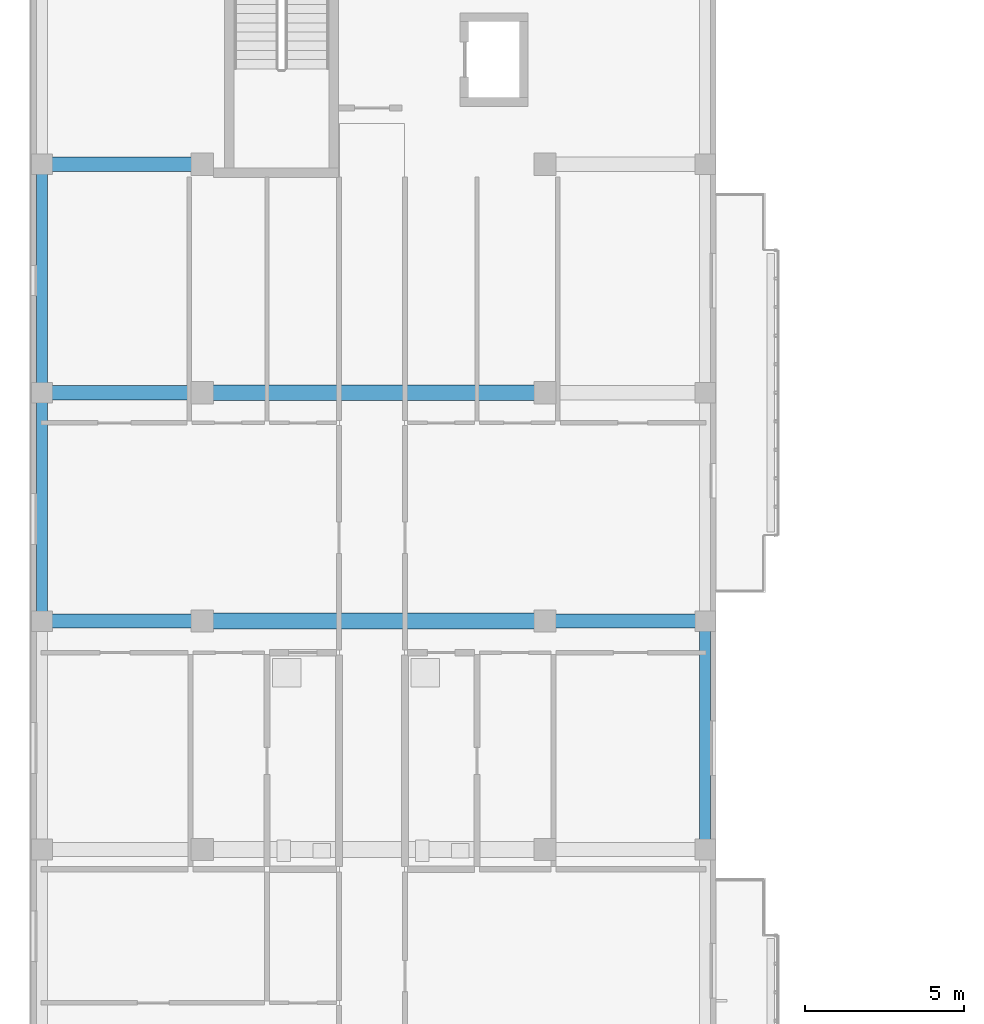
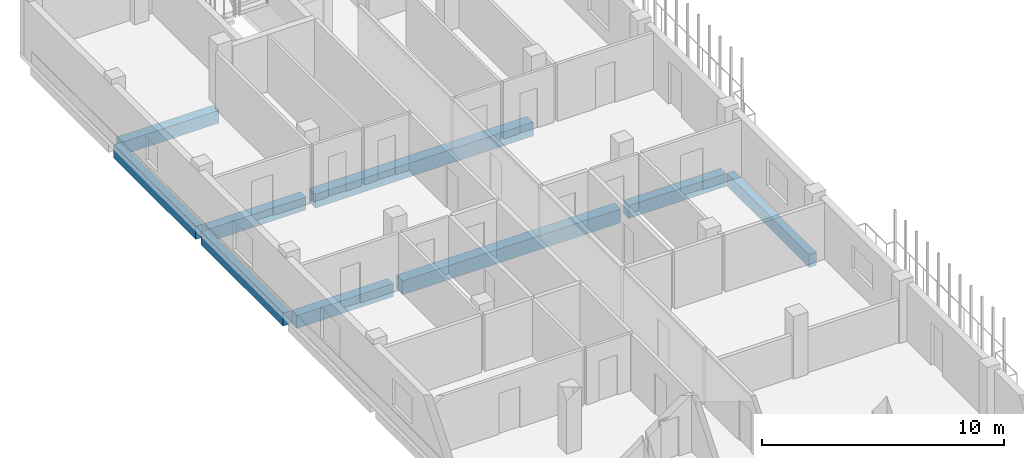
# One storey, part 13 of 56: 9 beams.
"""IFC4 building model written with IfcOpenShell, lengths in metres."""

import ifcopenshell
import ifcopenshell.guid

model = None  # the IFC model being written
_history = None  # IfcOwnerHistory: only IFC2X3 demands one
_inside = {}  # id of a spatial element -> (the spatial element, [elements in it])
_under = {}  # id of a project, library or spatial element -> (it, [spatial elements below it])
_declared = {}  # id of a project -> (the project, [libraries it declares])
_typed = {}  # id of a type object -> (the type object, [elements of that type])
_made_of = {}  # id of a material, layer set ... -> (it, [elements and type objects made of it])


def new_model(schema):
    """Start an empty IFC model of exactly this schema.

    Asked for "IFC4X3", IfcOpenShell would pick the latest addendum, in which some entities
    have other attributes; the version numbers below select the first issue.
    IFC2X3 requires an IfcOwnerHistory on every rooted entity: one is made here for all.
    """
    global model, _history
    if schema == "IFC4X3":
        model = ifcopenshell.file(schema_version=(4, 3, 0, 0))
    else:
        model = ifcopenshell.file(schema=schema)
    _inside.clear()
    _under.clear()
    _declared.clear()
    _typed.clear()
    _made_of.clear()
    _history = None
    if model.schema == "IFC2X3":
        org = make("IfcOrganization", Name="unknown")
        user = make(
            "IfcPersonAndOrganization",
            ThePerson=make("IfcPerson", FamilyName="unknown"),
            TheOrganization=org,
        )
        app = make(
            "IfcApplication",
            ApplicationDeveloper=org,
            Version="unknown",
            ApplicationFullName="unknown",
            ApplicationIdentifier="unknown",
        )
        _history = make(
            "IfcOwnerHistory",
            OwningUser=user,
            OwningApplication=app,
            ChangeAction="ADDED",
            CreationDate=0,
        )
    return model


def make(cls, **values):
    """One entity of the class cls with the attributes given. An attribute that is None is left unset."""
    return model.create_entity(
        cls, **{name: value for name, value in values.items() if value is not None}
    )


def rooted(cls, **values):
    """An entity with a GlobalId (a new one), such as an element, a storey or a relation."""
    return make(cls, GlobalId=ifcopenshell.guid.new(), OwnerHistory=_history, **values)


def si_unit(unit_type, name, prefix=None):
    """IfcSIUnit, for example si_unit("LENGTHUNIT", "METRE", prefix="MILLI")."""
    return make("IfcSIUnit", UnitType=unit_type, Prefix=prefix, Name=name)


def derived_unit(unit_type, elements):
    """IfcDerivedUnit: a product of units, each with its exponent."""
    return make(
        "IfcDerivedUnit",
        Elements=[
            make("IfcDerivedUnitElement", Unit=unit, Exponent=power)
            for unit, power in elements
        ],
        UnitType=unit_type,
    )


def assignment(units):
    """IfcUnitAssignment: the units of a project."""
    return None if units is None else make("IfcUnitAssignment", Units=units)


def point(xyz):
    """IfcCartesianPoint."""
    return None if xyz is None else make("IfcCartesianPoint", Coordinates=xyz)


def direction(xyz):
    """IfcDirection."""
    return None if xyz is None else make("IfcDirection", DirectionRatios=xyz)


def frame(location, z_axis=None, x_axis=None):
    """IfcAxis2Placement3D, a coordinate frame: its origin and axes. An axis left out is left unset."""
    return make(
        "IfcAxis2Placement3D",
        Location=point(location),
        Axis=direction(z_axis),
        RefDirection=direction(x_axis),
    )


def frame_2d(location, x_axis=None):
    """IfcAxis2Placement2D, a coordinate frame in the plane: its origin and x axis."""
    return make(
        "IfcAxis2Placement2D", Location=point(location), RefDirection=direction(x_axis)
    )


def origin():
    """The frame at (0, 0, 0) with its axes left unset."""
    return frame((0.0, 0.0, 0.0))


def origin_2d():
    """The frame at (0, 0) in the plane with its x axis left unset."""
    return frame_2d((0.0, 0.0))


def place(relative_to, where):
    """IfcLocalPlacement: puts the frame where relative to a parent placement (None: the world)."""
    return make(
        "IfcLocalPlacement", PlacementRelTo=relative_to, RelativePlacement=where
    )


def context(
    kind, dimensions, precision=None, world=None, true_north=None, identifier=None
):
    """IfcGeometricRepresentationContext, for example the 3D "Model" context."""
    return make(
        "IfcGeometricRepresentationContext",
        ContextIdentifier=identifier,
        ContextType=kind,
        CoordinateSpaceDimension=dimensions,
        Precision=precision,
        WorldCoordinateSystem=world,
        TrueNorth=true_north,
    )


def subcontext(parent, identifier, kind, view, scale=None):
    """IfcGeometricRepresentationSubContext, for example "Body" below "Model"."""
    return make(
        "IfcGeometricRepresentationSubContext",
        ContextIdentifier=identifier,
        ContextType=kind,
        ParentContext=parent,
        TargetScale=scale,
        TargetView=view,
    )


def project(units=None, contexts=None):
    """IfcProject with its units and contexts."""
    return rooted(
        "IfcProject",
        Name="project",
        RepresentationContexts=contexts,
        UnitsInContext=assignment(units),
    )


def spatial(cls, under=None, at=None, **own):
    """A site, building, storey or space (cls), placed at a placement, below another one or the project."""
    s = rooted(cls, ObjectPlacement=at, **own)
    if under is not None:
        _under.setdefault(under.id(), (under, []))[1].append(s)
    return s


def profile(cls, at=None, kind="AREA", **sizes):
    """A parametric profile (cls). Its sizes go by their IFC names, for example OverallWidth=200.0."""
    return make(cls, ProfileType=kind, Position=at, **sizes)


def rectangle(**sizes):
    """IfcRectangleProfileDef."""
    return profile("IfcRectangleProfileDef", **sizes)


def extrude(swept, where, along, depth):
    """IfcExtrudedAreaSolid: the profile swept, set in the frame where, extruded along a direction by depth."""
    return make(
        "IfcExtrudedAreaSolid",
        SweptArea=swept,
        Position=where,
        ExtrudedDirection=direction(along),
        Depth=depth,
    )


def shape(context_of_items, identifier, shape_type, items):
    """IfcShapeRepresentation: the items that make up one representation, for example the "Body"."""
    return make(
        "IfcShapeRepresentation",
        ContextOfItems=context_of_items,
        RepresentationIdentifier=identifier,
        RepresentationType=shape_type,
        Items=items,
    )


def material(Name=None, Category=None):
    """IfcMaterial."""
    return make("IfcMaterial", Name=Name, Category=Category)


def material_profile(
    of_material, cross_section, Name=None, Category=None, Priority=None
):
    """IfcMaterialProfile: a cross section and its material."""
    return make(
        "IfcMaterialProfile",
        Name=Name,
        Material=of_material,
        Profile=cross_section,
        Priority=Priority,
        Category=Category,
    )


def profile_set(profiles, Name=None, composite=None):
    """IfcMaterialProfileSet."""
    return make(
        "IfcMaterialProfileSet",
        Name=Name,
        MaterialProfiles=profiles,
        CompositeProfile=composite,
    )


def made_of(thing, what):
    """Note that an element or type object is made of a material, layer set ...; save() writes the relation."""
    if what is not None:
        _made_of.setdefault(what.id(), (what, []))[1].append(thing)
    return thing


def type_object(cls, material=None, **own):
    """A type object (cls), such as IfcWallType, which elements share."""
    return made_of(rooted(cls, **own), material)


def element(
    cls,
    number,
    at=None,
    inside=None,
    cuts=None,
    type_object=None,
    material=None,
    context=None,
    identifier="Body",
    shape_type=None,
    held_by="IfcProductDefinitionShape",
    body=None,
    shapes=None,
    **own,
):
    """One element of the class cls, such as IfcWall. Its Tag is "e" and its number.

    at: its placement. inside: the storey or other place that contains it. cuts: it is an
    opening in that element (IfcRelVoidsElement). A single representation is given by context,
    identifier, shape_type and body (its items); several are given by shapes. held_by: the class
    of the entity that holds the representations. save() writes the other relations.
    """
    e = rooted(cls, Tag="e%d" % number, ObjectPlacement=at, **own)
    if body is not None:
        shapes = [shape(context, identifier, shape_type, body)]
    if shapes is not None:
        e.Representation = make(held_by, Representations=shapes)
    if inside is not None:
        _inside.setdefault(inside.id(), (inside, []))[1].append(e)
    if cuts is not None:
        rooted(
            "IfcRelVoidsElement", RelatingBuildingElement=cuts, RelatedOpeningElement=e
        )
    if type_object is not None:
        _typed.setdefault(type_object.id(), (type_object, []))[1].append(e)
    return made_of(e, material)


def aggregate(whole, parts):
    """IfcRelAggregates: a whole, such as a stair, and the parts it consists of."""
    return rooted("IfcRelAggregates", RelatingObject=whole, RelatedObjects=parts)


def save(model, path):
    """Write the relations noted so far, then the file.

    IfcRelAggregates (storeys below a building ...), IfcRelContainedInSpatialStructure (elements
    in a storey), IfcRelDefinesByType, IfcRelAssociatesMaterial and IfcRelDeclares: one each for
    every whole, place, type object, material and project.
    """
    for whole, parts in _under.values():
        aggregate(whole, parts)
    for where, things in _inside.values():
        rooted(
            "IfcRelContainedInSpatialStructure",
            RelatedElements=things,
            RelatingStructure=where,
        )
    for kind, things in _typed.values():
        rooted("IfcRelDefinesByType", RelatedObjects=things, RelatingType=kind)
    for what, things in _made_of.values():
        rooted("IfcRelAssociatesMaterial", RelatedObjects=things, RelatingMaterial=what)
    for by, libraries in _declared.values():
        rooted("IfcRelDeclares", RelatingContext=by, RelatedDefinitions=libraries)
    model.write(path)


model = new_model("IFC4")

# Units and contexts
model_context = context("Model", 3, precision=1e-05, world=origin(), true_north=direction((0.0, 1.0)))
body_context = subcontext(model_context, "Body", "Model", "MODEL_VIEW")
ifc_project = project(units=[si_unit("LENGTHUNIT", "METRE"), si_unit("AREAUNIT", "SQUARE_METRE"), si_unit("VOLUMEUNIT", "CUBIC_METRE"), si_unit("PLANEANGLEUNIT", "RADIAN"), si_unit("MASSUNIT", "GRAM", prefix="KILO"), derived_unit("THERMALTRANSMITTANCEUNIT", [(si_unit("MASSUNIT", "GRAM", prefix="KILO"), 1), (si_unit("TIMEUNIT", "SECOND"), -3), (si_unit("THERMODYNAMICTEMPERATUREUNIT", "KELVIN"), -1)])], contexts=[model_context])

# Site, building, storey
site_placement = place(None, origin())
site = spatial("IfcSite", under=ifc_project, at=site_placement, CompositionType="ELEMENT")
building_placement = place(site_placement, origin())
building = spatial("IfcBuilding", under=site, at=building_placement, Name="Ochrekiln Boulevard Commons", CompositionType="ELEMENT")
storey_placement = place(building_placement, frame((0.0, 0.0, 12.074951171875)))
storey = spatial("IfcBuildingStorey", under=building, at=storey_placement, Name="L03", CompositionType="ELEMENT", Elevation=12.074951171875)

# Beams
ifc_material_1 = material(Name="Concrete C35/45", Category="concrete")
ifc_material_profile_1 = material_profile(ifc_material_1, rectangle(XDim=0.449951171875, YDim=0.64990234375, at=origin_2d()), Name="RC-BM-450x650")
ifc_profile_set_1 = profile_set([ifc_material_profile_1], Name="Concrete C35/45")
beam_type_1 = type_object("IfcBeamType", Name="BM-RC-450x650", PredefinedType="BEAM", material=ifc_profile_set_1)
beam_1_placement = place(storey_placement, frame((0.56005859375, 97.199951171875, -0.5849609375), z_axis=(1.0, 0.0, 0.0), x_axis=(0.0, 1.0, 0.0)))
element("IfcBeam", 1, at=beam_1_placement, inside=storey, type_object=beam_type_1, Name="Block A L03 Beam B-4565 X12", PredefinedType="BEAM", context=body_context, shape_type="SweptSolid", body=[
    extrude(rectangle(XDim=0.449951171875, YDim=0.64990234375, at=origin_2d()), origin(), (0.0, 0.0, 1.0), 4.6298828125),
])
beam_2_placement = place(storey_placement, frame((16.409912109375, 97.199951171875, -0.5849609375), z_axis=(1.0, 0.0, 0.0), x_axis=(0.0, 1.0, 0.0)))
element("IfcBeam", 2, at=beam_2_placement, inside=storey, type_object=beam_type_1, Name="Block A L03 Beam B-4565 X14", PredefinedType="BEAM", context=body_context, shape_type="SweptSolid", body=[
    extrude(rectangle(XDim=0.449951171875, YDim=0.64990234375, at=origin_2d()), origin(), (0.0, 0.0, 1.0), 4.630126953125),
])
for number, where, z_axis, x_axis, name in (
    (3, (0.56005859375, 104.39990234375, -0.5849609375), (1.0, 0.0, 0.0), (0.0, 1.0, 0.0), "Block A L03 Beam B-4565 X15"),
    (4, (0.56005859375, 111.60009765625, -0.5849609375), (1.0, 0.0, 0.0), (0.0, 1.0, 0.0), "Block A L03 Beam B-4565 X18"),
):
    element("IfcBeam", number, at=place(storey_placement, frame(where, z_axis=z_axis, x_axis=x_axis)), inside=storey, type_object=beam_type_1, Name=name, PredefinedType="BEAM", context=body_context, shape_type="SweptSolid", body=[
        extrude(rectangle(XDim=0.449951171875, YDim=0.64990234375, at=origin_2d()), origin(), (0.0, 0.0, 1.0), 4.6298828125),
    ])
ifc_material_2 = material(Name="Concrete C40/50", Category="concrete")
ifc_material_profile_2 = material_profile(ifc_material_2, rectangle(XDim=0.5, YDim=0.699951171875, at=origin_2d()), Name="RC-BM-500x700")
ifc_profile_set_2 = profile_set([ifc_material_profile_2], Name="Concrete C40/50")
beam_type_2 = type_object("IfcBeamType", Name="BM-RC-500x700", PredefinedType="BEAM", material=ifc_profile_set_2)
for number, where, z_axis, x_axis, name in (
    (5, (5.610107421875, 97.199951171875, -0.60986328125), (1.0, 0.0, 0.0), (0.0, 1.0, 0.0), "Block A L03 Beam B-5070 X13"),
    (6, (5.610107421875, 104.39990234375, -0.60986328125), (1.0, 0.0, 0.0), (0.0, 1.0, 0.0), "Block A L03 Beam B-5070 X16"),
):
    element("IfcBeam", number, at=place(storey_placement, frame(where, z_axis=z_axis, x_axis=x_axis)), inside=storey, type_object=beam_type_2, Name=name, PredefinedType="BEAM", context=body_context, shape_type="SweptSolid", body=[
        extrude(rectangle(XDim=0.5, YDim=0.699951171875, at=origin_2d()), origin(), (0.0, 0.0, 1.0), 10.3798828125),
    ])
ifc_material_profile_3 = material_profile(ifc_material_2, rectangle(XDim=0.35009765625, YDim=0.64990234375, at=origin_2d()), Name="RC-SPN-350x650")
ifc_profile_set_3 = profile_set([ifc_material_profile_3], Name="Concrete C40/50")
beam_type_3 = type_object("IfcBeamType", Name="SPN-RC-350x650", PredefinedType="SPANDREL", material=ifc_profile_set_3)
beam_3_placement = place(storey_placement, frame((0.35009765625, 97.409912109375, -0.5849609375), z_axis=(0.0, 1.0, 0.0), x_axis=(-1.0, 0.0, 0.0)))
element("IfcBeam", 7, at=beam_3_placement, inside=storey, type_object=beam_type_3, Name="Block A L03 Beam SP-3565 Y27", PredefinedType="SPANDREL", context=body_context, shape_type="SweptSolid", body=[
    extrude(rectangle(XDim=0.35009765625, YDim=0.64990234375, at=origin_2d()), origin(), (0.0, 0.0, 1.0), 6.780029296875),
])
beam_4_placement = place(storey_placement, frame((0.35009765625, 104.610107421875, -0.5849609375), z_axis=(0.0, 1.0, 0.0), x_axis=(-1.0, 0.0, 0.0)))
element("IfcBeam", 8, at=beam_4_placement, inside=storey, type_object=beam_type_3, Name="Block A L03 Beam SP-3565 Y28", PredefinedType="SPANDREL", context=body_context, shape_type="SweptSolid", body=[
    extrude(rectangle(XDim=0.35009765625, YDim=0.64990234375, at=origin_2d()), origin(), (0.0, 0.0, 1.0), 6.77978515625),
])
beam_5_placement = place(storey_placement, frame((21.25, 90.2099609375, -0.5849609375), z_axis=(0.0, 1.0, 0.0), x_axis=(-1.0, 0.0, 0.0)))
element("IfcBeam", 9, at=beam_5_placement, inside=storey, type_object=beam_type_3, Name="Block A L03 Beam SP-3565 Y33", PredefinedType="SPANDREL", context=body_context, shape_type="SweptSolid", body=[
    extrude(rectangle(XDim=0.35009765625, YDim=0.64990234375, at=origin_2d()), origin(), (0.0, 0.0, 1.0), 6.780029296875),
])

save(model, "model.ifc")
